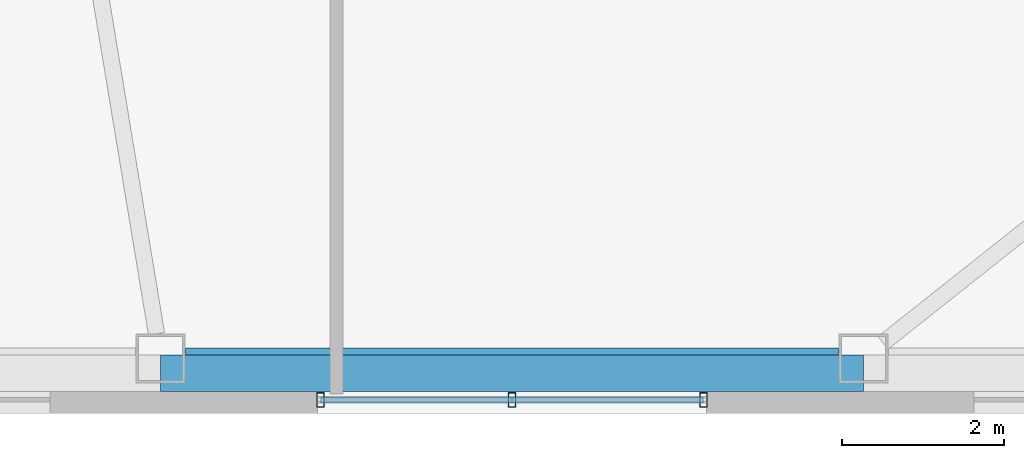
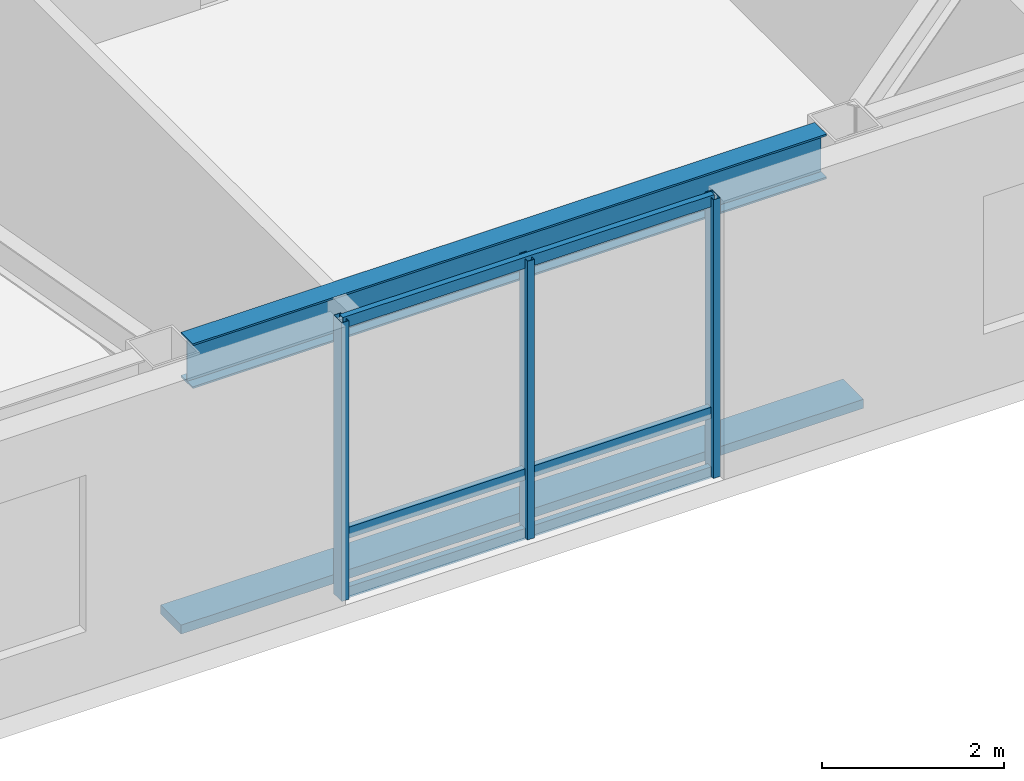
# One storey, part 6 of 18: 7 members, 1 beam, 1 element without a shape of its own.
"""IFC4 building model written with IfcOpenShell, lengths in metres."""

from ifc_helpers import new_model, si_unit, direction, frame, origin, origin_2d, place, context, subcontext, project, spatial, rectangle, hollow_rectangle, i_section, extrude, material, layer, layer_set, material_profile, profile_set, type_object, element, aggregate, save


model = new_model("IFC4")

# Units and contexts
model_context = context("Model", 3, precision=1e-05, world=origin(), true_north=direction((0.0, 1.0)))
body_context = subcontext(model_context, "Body", "Model", "MODEL_VIEW")
ifc_project = project(units=[si_unit("LENGTHUNIT", "METRE"), si_unit("AREAUNIT", "SQUARE_METRE"), si_unit("VOLUMEUNIT", "CUBIC_METRE"), si_unit("PLANEANGLEUNIT", "RADIAN"), si_unit("MASSUNIT", "GRAM", prefix="KILO")], contexts=[model_context])

# Site, building, storey
site_placement = place(None, origin())
site = spatial("IfcSite", under=ifc_project, at=site_placement, CompositionType="ELEMENT")
building_placement = place(site_placement, origin())
building = spatial("IfcBuilding", under=site, at=building_placement, Name="Tavrogorsk Clinical Tower", CompositionType="ELEMENT")
storey_placement = place(building_placement, frame((0.0, 0.0, 180.199951171875)))
storey = spatial("IfcBuildingStorey", under=building, at=storey_placement, Name="L41", CompositionType="ELEMENT", Elevation=180.199951171875)

# Member
ifc_material_1 = material(Name="Anodised aluminium alloy AW-6063", Category="aluminium")
ifc_material_profile_1 = material_profile(ifc_material_1, rectangle(XDim=0.449951171875, YDim=0.1201171875, at=origin_2d()), Name="ALU-SUNSHADE-450x120")
ifc_profile_set_1 = profile_set([ifc_material_profile_1], Name="Anodised aluminium alloy AW-6063")
member_type_1 = type_object("IfcMemberType", Name="ChicagoSunshade_450x120", PredefinedType="USERDEFINED", material=ifc_profile_set_1)
member_1_placement = place(storey_placement, frame((6.7314453125, -20.60009765625, 0.179931640625), z_axis=(1.0, 0.0, 0.0), x_axis=(0.0, 1.0, 0.0)))
element("IfcMember", 1, at=member_1_placement, inside=storey, type_object=member_type_1, Name="L41 South Aluminium Sunshade S5", ObjectType="SUNSHADE", PredefinedType="USERDEFINED", context=body_context, shape_type="SweptSolid", body=[
    extrude(rectangle(XDim=0.449951171875, YDim=0.1201171875, at=origin_2d()), origin(), (0.0, 0.0, 1.0), 8.662841796875),
])

# Curtain wall, members
ifc_material_2 = material(Name="Anodised aluminium and triple IGU glazing", Category="aluminium")
ifc_layer = layer(ifc_material_2, 0.179931640625)
ifc_layer_set = layer_set([ifc_layer], Name="Anodised aluminium and triple IGU glazing")
curtain_wall_type = type_object("IfcCurtainWallType", Name="CW3_SouthSlot", PredefinedType="NOTDEFINED", material=ifc_layer_set)
curtain_wall_placement = place(storey_placement, origin())
curtain_wall = element("IfcCurtainWall", 2, at=curtain_wall_placement, inside=storey, type_object=curtain_wall_type, Name="L41 Curtain Wall CW-L41-S-SLOT-2", PredefinedType="NOTDEFINED")
ifc_material_3 = material(Name="Anodised aluminium alloy AW-6060", Category="aluminium")
ifc_material_profile_2 = material_profile(ifc_material_3, hollow_rectangle(XDim=0.090087890625, YDim=0.179931640625, WallThickness=0.00634765625, at=origin_2d()), Name="RHS-180x90x6.3")
ifc_profile_set_2 = profile_set([ifc_material_profile_2], Name="Anodised aluminium alloy AW-6060")
member_type_2 = type_object("IfcMemberType", Name="CwMullion_180x90", PredefinedType="MULLION", material=ifc_profile_set_2)
member_2_placement = place(storey_placement, frame((8.703857421875, -20.929931640625, 0.0), z_axis=(0.0, 0.0, 1.0), x_axis=(1.0, 0.0, 0.0)))
member_2 = element("IfcMember", 3, at=member_2_placement, type_object=member_type_2, Name="CW-L41-S-SLOT-2 Mullion 1", PredefinedType="MULLION", context=body_context, shape_type="SweptSolid", body=[
    extrude(hollow_rectangle(XDim=0.090087890625, YDim=0.179931640625, WallThickness=0.00634765625, at=origin_2d()), origin(), (0.0, 0.0, 1.0), 3.739990234375),
])
member_3_placement = place(storey_placement, frame((11.062744140625, -20.929931640625, 0.0), z_axis=(0.0, 0.0, 1.0), x_axis=(1.0, 0.0, 0.0)))
member_3 = element("IfcMember", 4, at=member_3_placement, type_object=member_type_2, Name="CW-L41-S-SLOT-2 Mullion 2", PredefinedType="MULLION", context=body_context, shape_type="SweptSolid", body=[
    extrude(hollow_rectangle(XDim=0.090087890625, YDim=0.179931640625, WallThickness=0.00634765625, at=origin_2d()), origin(), (0.0, 0.0, 1.0), 3.739990234375),
])
member_4_placement = place(storey_placement, frame((13.421875, -20.929931640625, 0.0), z_axis=(0.0, 0.0, 1.0), x_axis=(1.0, 0.0, 0.0)))
member_4 = element("IfcMember", 5, at=member_4_placement, type_object=member_type_2, Name="CW-L41-S-SLOT-2 Mullion 3", PredefinedType="MULLION", context=body_context, shape_type="SweptSolid", body=[
    extrude(hollow_rectangle(XDim=0.090087890625, YDim=0.179931640625, WallThickness=0.00634765625, at=origin_2d()), origin(), (0.0, 0.0, 1.0), 3.739990234375),
])
ifc_material_4 = material(Name="Anodised aluminium alloy AW-6060", Category="aluminium")
ifc_material_profile_3 = material_profile(ifc_material_4, hollow_rectangle(XDim=0.074951171875, YDim=0.14990234375, WallThickness=0.0048828125, at=origin_2d()), Name="RHS-150x75x5")
ifc_profile_set_3 = profile_set([ifc_material_profile_3], Name="Anodised aluminium alloy AW-6060")
member_type_3 = type_object("IfcMemberType", Name="CwTransom_150x75", PredefinedType="USERDEFINED", material=ifc_profile_set_3)
member_5_placement = place(storey_placement, frame((8.703857421875, -20.929931640625, 0.050048828125), z_axis=(1.0, 0.0, 0.0), x_axis=(0.0, 1.0, 0.0)))
member_5 = element("IfcMember", 6, at=member_5_placement, type_object=member_type_3, Name="CW-L41-S-SLOT-2 Transom 1", ObjectType="TRANSOM", PredefinedType="USERDEFINED", context=body_context, shape_type="SweptSolid", body=[
    extrude(hollow_rectangle(XDim=0.074951171875, YDim=0.14990234375, WallThickness=0.0048828125, at=origin_2d()), origin(), (0.0, 0.0, 1.0), 4.718017578125),
])
member_6_placement = place(storey_placement, frame((8.703857421875, -20.929931640625, 0.85009765625), z_axis=(1.0, 0.0, 0.0), x_axis=(0.0, 1.0, 0.0)))
member_6 = element("IfcMember", 7, at=member_6_placement, type_object=member_type_3, Name="CW-L41-S-SLOT-2 Transom 2", ObjectType="TRANSOM", PredefinedType="USERDEFINED", context=body_context, shape_type="SweptSolid", body=[
    extrude(hollow_rectangle(XDim=0.074951171875, YDim=0.14990234375, WallThickness=0.0048828125, at=origin_2d()), origin(), (0.0, 0.0, 1.0), 4.718017578125),
])
member_7_placement = place(storey_placement, frame((8.703857421875, -20.929931640625, 3.68994140625), z_axis=(1.0, 0.0, 0.0), x_axis=(0.0, 1.0, 0.0)))
member_7 = element("IfcMember", 8, at=member_7_placement, type_object=member_type_3, Name="CW-L41-S-SLOT-2 Transom 3", ObjectType="TRANSOM", PredefinedType="USERDEFINED", context=body_context, shape_type="SweptSolid", body=[
    extrude(hollow_rectangle(XDim=0.074951171875, YDim=0.14990234375, WallThickness=0.0048828125, at=origin_2d()), origin(), (0.0, 0.0, 1.0), 4.718017578125),
])
aggregate(curtain_wall, [member_2, member_3, member_4, member_5, member_6, member_7])

# Beam
ifc_material_5 = material(Name="Structural steel S390", Category="steel")
ifc_material_profile_4 = material_profile(ifc_material_5, i_section(OverallWidth=0.260009765625, OverallDepth=0.60009765625, WebThickness=0.014892578125, FlangeThickness=0.02392578125, at=origin_2d()), Name="B-600x260x15x24")
ifc_profile_set_4 = profile_set([ifc_material_profile_4], Name="Structural steel S390")
beam_type = type_object("IfcBeamType", Name="SpandrelBeam_B600", PredefinedType="SPANDREL", material=ifc_profile_set_4)
beam_placement = place(storey_placement, frame((7.039306640625, -20.419921875, 3.43994140625), z_axis=(1.0, 0.0, 0.0), x_axis=(0.0, 1.0, 0.0)))
element("IfcBeam", 9, at=beam_placement, inside=storey, type_object=beam_type, Name="L41 Perimeter Spandrel S5-S6", PredefinedType="SPANDREL", context=body_context, shape_type="SweptSolid", body=[
    extrude(i_section(OverallWidth=0.260009765625, OverallDepth=0.60009765625, WebThickness=0.014892578125, FlangeThickness=0.02392578125, at=origin_2d()), origin(), (0.0, 0.0, 1.0), 8.046875),
])

save(model, "model.ifc")
